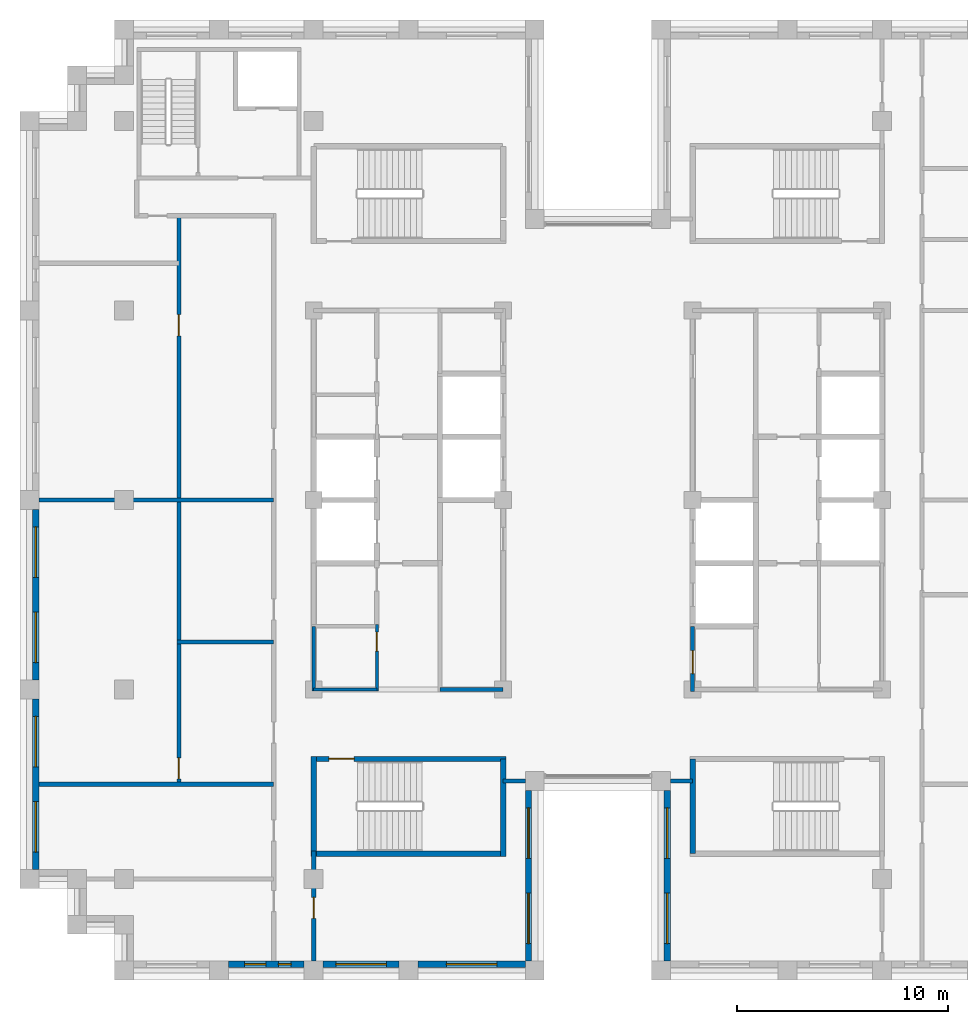
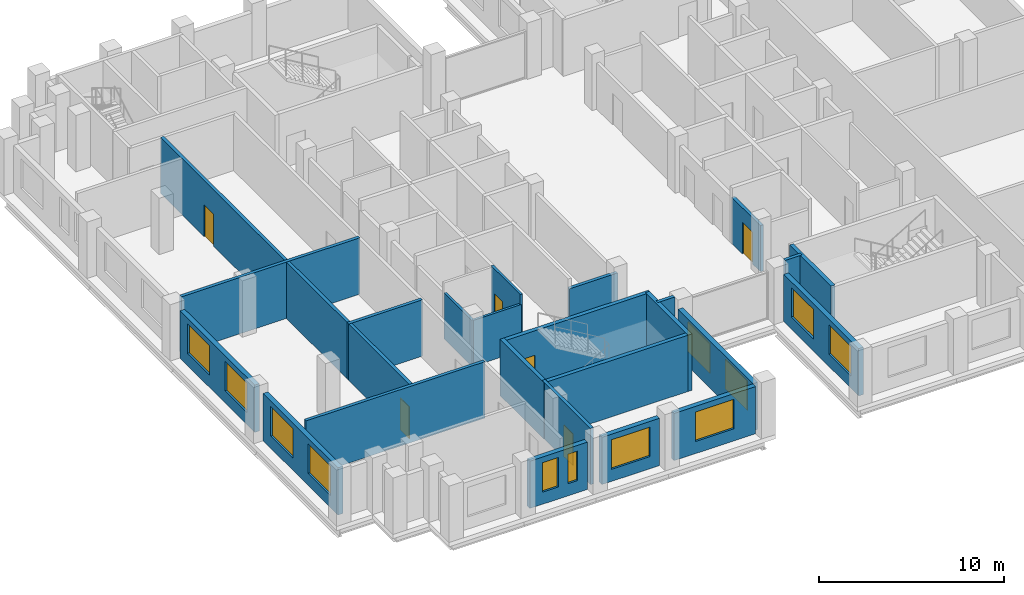
# One storey, part 6 of 13: 24 walls, 12 windows, 6 doors, 18 openings.
"""IFC4 building model written with IfcOpenShell, lengths in metres."""

from ifc_helpers import new_model, si_unit, direction, frame, frame_2d, origin, place, context, subcontext, project, spatial, rectangle, extrude, material, layer, layer_set, type_object, element, fill, save


model = new_model("IFC4")

# Units and contexts
model_context = context("Model", 3, precision=1e-05, world=origin(), true_north=direction((0.0, 1.0)))
body_context = subcontext(model_context, "Body", "Model", "MODEL_VIEW")
ifc_project = project(units=[si_unit("LENGTHUNIT", "METRE"), si_unit("AREAUNIT", "SQUARE_METRE"), si_unit("VOLUMEUNIT", "CUBIC_METRE"), si_unit("PLANEANGLEUNIT", "RADIAN"), si_unit("MASSUNIT", "GRAM", prefix="KILO")], contexts=[model_context])

# Site, building, storey
site_placement = place(None, origin())
site = spatial("IfcSite", under=ifc_project, at=site_placement, CompositionType="ELEMENT")
building_placement = place(site_placement, origin())
building = spatial("IfcBuilding", under=site, at=building_placement, Name="Corbelhall Arena Tower", CompositionType="ELEMENT")
storey_placement = place(building_placement, frame((0.0, 0.0, 254.0)))
storey = spatial("IfcBuildingStorey", under=building, at=storey_placement, Name="L54", CompositionType="ELEMENT", Elevation=254.0)

# Wall, openings, windows
ifc_material_1 = material(Name="Precast concrete C40/50 with granite facing", Category="masonry")
ifc_layer_1 = layer(ifc_material_1, 0.300048828125)
ifc_layer_set_1 = layer_set([ifc_layer_1], Name="EV-IW1 Infill panel 300")
wall_type_1 = type_object("IfcWallType", Name="EV-IW1 Infill panel 300", PredefinedType="SOLIDWALL", material=ifc_layer_set_1)
wall_1_placement = place(storey_placement, frame((-26.699951171875, -0.449951171875, 0.0), z_axis=(0.0, 0.0, 1.0), x_axis=(0.0, -1.0, 0.0)))
wall_1 = element("IfcWall", 1, at=wall_1_placement, inside=storey, type_object=wall_type_1, Name="Infill panel IW1", PredefinedType="SOLIDWALL", context=body_context, shape_type="SweptSolid", body=[
    extrude(rectangle(XDim=8.10009765625, YDim=0.300048828125, at=frame_2d((4.050048828125, 0.0))), origin(), (0.0, 0.0, 1.0), 3.1201171875),
])
opening_1_placement = place(wall_1_placement, frame((0.824951171875, 0.0, 0.800048828125)))
opening_1 = element("IfcOpeningElement", 2, at=opening_1_placement, cuts=wall_1, Name="Opening WN1", PredefinedType="OPENING", context=body_context, shape_type="SweptSolid", body=[
    extrude(rectangle(XDim=2.39990234375, YDim=1.949951171875, at=frame_2d((1.199951171875, 0.97509765625))), frame((0.0, 0.14990234375, 0.0), z_axis=(0.0, -1.0, 0.0), x_axis=(1.0, 0.0, 0.0)), (0.0, 0.0, 1.0), 0.300048828125),
])
opening_2_placement = place(wall_1_placement, frame((4.875, 0.0, 0.800048828125)))
opening_2 = element("IfcOpeningElement", 3, at=opening_2_placement, cuts=wall_1, Name="Opening WN1", PredefinedType="OPENING", context=body_context, shape_type="SweptSolid", body=[
    extrude(rectangle(XDim=2.39990234375, YDim=1.949951171875, at=frame_2d((1.199951171875, 0.97509765625))), frame((0.0, 0.14990234375, 0.0), z_axis=(0.0, -1.0, 0.0), x_axis=(1.0, 0.0, 0.0)), (0.0, 0.0, 1.0), 0.300048828125),
])
ifc_material_2 = material(Name="Aluminium black anodised", Category="aluminium")
window_type_1 = type_object("IfcWindowType", Name="EV-WN1 Office window", PartitioningType="SINGLE_PANEL", PredefinedType="WINDOW", material=ifc_material_2)
window_1_placement = place(opening_1_placement, origin())
window_1 = element("IfcWindow", 4, at=window_1_placement, inside=storey, type_object=window_type_1, Name="Window WN1", OverallHeight=1.949951171875, OverallWidth=2.39990234375, PartitioningType="SINGLE_PANEL", PredefinedType="WINDOW", context=body_context, shape_type="SweptSolid", body=[
    extrude(rectangle(XDim=2.39990234375, YDim=1.949951171875, at=frame_2d((1.199951171875, 0.97509765625))), frame((0.0, 0.030029296875, 0.0), z_axis=(0.0, -1.0, 0.0), x_axis=(1.0, 0.0, 0.0)), (0.0, 0.0, 1.0), 0.06005859375),
])
fill(opening_1, window_1)
window_2_placement = place(opening_2_placement, origin())
window_2 = element("IfcWindow", 5, at=window_2_placement, inside=storey, type_object=window_type_1, Name="Window WN1", OverallHeight=1.949951171875, OverallWidth=2.39990234375, PartitioningType="SINGLE_PANEL", PredefinedType="WINDOW", context=body_context, shape_type="SweptSolid", body=[
    extrude(rectangle(XDim=2.39990234375, YDim=1.949951171875, at=frame_2d((1.199951171875, 0.97509765625))), frame((0.0, 0.030029296875, 0.0), z_axis=(0.0, -1.0, 0.0), x_axis=(1.0, 0.0, 0.0)), (0.0, 0.0, 1.0), 0.06005859375),
])
fill(opening_2, window_2)

wall_2_placement = place(storey_placement, frame((-26.699951171875, -9.449951171875, 0.0), z_axis=(0.0, 0.0, 1.0), x_axis=(0.0, -1.0, 0.0)))
wall_2 = element("IfcWall", 6, at=wall_2_placement, inside=storey, type_object=wall_type_1, Name="Infill panel IW1", PredefinedType="SOLIDWALL", context=body_context, shape_type="SweptSolid", body=[
    extrude(rectangle(XDim=8.10009765625, YDim=0.300048828125, at=frame_2d((4.050048828125, 0.0))), origin(), (0.0, 0.0, 1.0), 3.1201171875),
])
opening_3_placement = place(wall_2_placement, frame((0.824951171875, 0.0, 0.800048828125)))
opening_3 = element("IfcOpeningElement", 7, at=opening_3_placement, cuts=wall_2, Name="Opening WN1", PredefinedType="OPENING", context=body_context, shape_type="SweptSolid", body=[
    extrude(rectangle(XDim=2.39990234375, YDim=1.949951171875, at=frame_2d((1.199951171875, 0.97509765625))), frame((0.0, 0.14990234375, 0.0), z_axis=(0.0, -1.0, 0.0), x_axis=(1.0, 0.0, 0.0)), (0.0, 0.0, 1.0), 0.300048828125),
])
opening_4_placement = place(wall_2_placement, frame((4.875, 0.0, 0.800048828125)))
opening_4 = element("IfcOpeningElement", 8, at=opening_4_placement, cuts=wall_2, Name="Opening WN1", PredefinedType="OPENING", context=body_context, shape_type="SweptSolid", body=[
    extrude(rectangle(XDim=2.39990234375, YDim=1.949951171875, at=frame_2d((1.199951171875, 0.97509765625))), frame((0.0, 0.14990234375, 0.0), z_axis=(0.0, -1.0, 0.0), x_axis=(1.0, 0.0, 0.0)), (0.0, 0.0, 1.0), 0.300048828125),
])
window_3_placement = place(opening_3_placement, origin())
window_3 = element("IfcWindow", 9, at=window_3_placement, inside=storey, type_object=window_type_1, Name="Window WN1", OverallHeight=1.949951171875, OverallWidth=2.39990234375, PartitioningType="SINGLE_PANEL", PredefinedType="WINDOW", context=body_context, shape_type="SweptSolid", body=[
    extrude(rectangle(XDim=2.39990234375, YDim=1.949951171875, at=frame_2d((1.199951171875, 0.97509765625))), frame((0.0, 0.030029296875, 0.0), z_axis=(0.0, -1.0, 0.0), x_axis=(1.0, 0.0, 0.0)), (0.0, 0.0, 1.0), 0.06005859375),
])
fill(opening_3, window_3)
window_4_placement = place(opening_4_placement, origin())
window_4 = element("IfcWindow", 10, at=window_4_placement, inside=storey, type_object=window_type_1, Name="Window WN1", OverallHeight=1.949951171875, OverallWidth=2.39990234375, PartitioningType="SINGLE_PANEL", PredefinedType="WINDOW", context=body_context, shape_type="SweptSolid", body=[
    extrude(rectangle(XDim=2.39990234375, YDim=1.949951171875, at=frame_2d((1.199951171875, 0.97509765625))), frame((0.0, 0.030029296875, 0.0), z_axis=(0.0, -1.0, 0.0), x_axis=(1.0, 0.0, 0.0)), (0.0, 0.0, 1.0), 0.06005859375),
])
fill(opening_4, window_4)

wall_3_placement = place(storey_placement, frame((-17.550048828125, -22.050048828125, 0.0), z_axis=(0.0, 0.0, 1.0), x_axis=(1.0, 0.0, 0.0)))
wall_3 = element("IfcWall", 11, at=wall_3_placement, inside=storey, type_object=wall_type_1, Name="Infill panel IW1", PredefinedType="SOLIDWALL", context=body_context, shape_type="SweptSolid", body=[
    extrude(rectangle(XDim=3.60009765625, YDim=0.300048828125, at=frame_2d((1.800048828125, 0.0))), origin(), (0.0, 0.0, 1.0), 3.1201171875),
])
opening_5_placement = place(wall_3_placement, frame((0.77490234375, 0.0, 0.800048828125)))
opening_5 = element("IfcOpeningElement", 12, at=opening_5_placement, cuts=wall_3, Name="Opening WN6", PredefinedType="OPENING", context=body_context, shape_type="SweptSolid", body=[
    extrude(rectangle(XDim=1.0, YDim=1.949951171875, at=frame_2d((0.5, 0.97509765625))), frame((0.0, 0.14990234375, 0.0), z_axis=(0.0, -1.0, 0.0), x_axis=(1.0, 0.0, 0.0)), (0.0, 0.0, 1.0), 0.300048828125),
])
opening_6_placement = place(wall_3_placement, frame((2.375, 0.0, 0.800048828125)))
opening_6 = element("IfcOpeningElement", 13, at=opening_6_placement, cuts=wall_3, Name="Opening WN5", PredefinedType="OPENING", context=body_context, shape_type="SweptSolid", body=[
    extrude(rectangle(XDim=0.60009765625, YDim=1.949951171875, at=frame_2d((0.300048828125, 0.97509765625))), frame((0.0, 0.14990234375, 0.0), z_axis=(0.0, -1.0, 0.0), x_axis=(1.0, 0.0, 0.0)), (0.0, 0.0, 1.0), 0.300048828125),
])
window_type_2 = type_object("IfcWindowType", Name="EV-WN5 Office window 600", PartitioningType="SINGLE_PANEL", PredefinedType="WINDOW", material=ifc_material_2)
window_5_placement = place(opening_6_placement, origin())
window_5 = element("IfcWindow", 14, at=window_5_placement, inside=storey, type_object=window_type_2, Name="Window WN5", OverallHeight=1.949951171875, OverallWidth=0.60009765625, PartitioningType="SINGLE_PANEL", PredefinedType="WINDOW", context=body_context, shape_type="SweptSolid", body=[
    extrude(rectangle(XDim=0.60009765625, YDim=1.949951171875, at=frame_2d((0.300048828125, 0.97509765625))), frame((0.0, 0.030029296875, 0.0), z_axis=(0.0, -1.0, 0.0), x_axis=(1.0, 0.0, 0.0)), (0.0, 0.0, 1.0), 0.06005859375),
])
fill(opening_6, window_5)
window_type_3 = type_object("IfcWindowType", Name="EV-WN6 Office window 1000", PartitioningType="SINGLE_PANEL", PredefinedType="WINDOW", material=ifc_material_2)
window_6_placement = place(opening_5_placement, origin())
window_6 = element("IfcWindow", 15, at=window_6_placement, inside=storey, type_object=window_type_3, Name="Window WN6", OverallHeight=1.949951171875, OverallWidth=1.0, PartitioningType="SINGLE_PANEL", PredefinedType="WINDOW", context=body_context, shape_type="SweptSolid", body=[
    extrude(rectangle(XDim=1.0, YDim=1.949951171875, at=frame_2d((0.5, 0.97509765625))), frame((0.0, 0.030029296875, 0.0), z_axis=(0.0, -1.0, 0.0), x_axis=(1.0, 0.0, 0.0)), (0.0, 0.0, 1.0), 0.06005859375),
])
fill(opening_5, window_6)

# Wall, opening, window
wall_4_placement = place(storey_placement, frame((-13.050048828125, -22.050048828125, 0.0), z_axis=(0.0, 0.0, 1.0), x_axis=(1.0, 0.0, 0.0)))
wall_4 = element("IfcWall", 16, at=wall_4_placement, inside=storey, type_object=wall_type_1, Name="Infill panel IW1", PredefinedType="SOLIDWALL", context=body_context, shape_type="SweptSolid", body=[
    extrude(rectangle(XDim=3.60009765625, YDim=0.300048828125, at=frame_2d((1.800048828125, 0.0))), origin(), (0.0, 0.0, 1.0), 3.1201171875),
])
opening_7_placement = place(wall_4_placement, frame((0.60009765625, 0.0, 0.800048828125)))
opening_7 = element("IfcOpeningElement", 17, at=opening_7_placement, cuts=wall_4, Name="Opening WN1", PredefinedType="OPENING", context=body_context, shape_type="SweptSolid", body=[
    extrude(rectangle(XDim=2.39990234375, YDim=1.949951171875, at=frame_2d((1.199951171875, 0.97509765625))), frame((0.0, 0.14990234375, 0.0), z_axis=(0.0, -1.0, 0.0), x_axis=(1.0, 0.0, 0.0)), (0.0, 0.0, 1.0), 0.300048828125),
])
window_7_placement = place(opening_7_placement, origin())
window_7 = element("IfcWindow", 18, at=window_7_placement, inside=storey, type_object=window_type_1, Name="Window WN1", OverallHeight=1.949951171875, OverallWidth=2.39990234375, PartitioningType="SINGLE_PANEL", PredefinedType="WINDOW", context=body_context, shape_type="SweptSolid", body=[
    extrude(rectangle(XDim=2.39990234375, YDim=1.949951171875, at=frame_2d((1.199951171875, 0.97509765625))), frame((0.0, 0.030029296875, 0.0), z_axis=(0.0, -1.0, 0.0), x_axis=(1.0, 0.0, 0.0)), (0.0, 0.0, 1.0), 0.06005859375),
])
fill(opening_7, window_7)

wall_5_placement = place(storey_placement, frame((-8.550048828125, -22.050048828125, 0.0), z_axis=(0.0, 0.0, 1.0), x_axis=(1.0, 0.0, 0.0)))
wall_5 = element("IfcWall", 19, at=wall_5_placement, inside=storey, type_object=wall_type_1, Name="Infill panel IW1", PredefinedType="SOLIDWALL", context=body_context, shape_type="SweptSolid", body=[
    extrude(rectangle(XDim=5.10009765625, YDim=0.300048828125, at=frame_2d((2.550048828125, 0.0))), origin(), (0.0, 0.0, 1.0), 3.1201171875),
])
opening_8_placement = place(wall_5_placement, frame((1.35009765625, 0.0, 0.800048828125)))
opening_8 = element("IfcOpeningElement", 20, at=opening_8_placement, cuts=wall_5, Name="Opening WN1", PredefinedType="OPENING", context=body_context, shape_type="SweptSolid", body=[
    extrude(rectangle(XDim=2.39990234375, YDim=1.949951171875, at=frame_2d((1.199951171875, 0.97509765625))), frame((0.0, 0.14990234375, 0.0), z_axis=(0.0, -1.0, 0.0), x_axis=(1.0, 0.0, 0.0)), (0.0, 0.0, 1.0), 0.300048828125),
])
window_8_placement = place(opening_8_placement, origin())
window_8 = element("IfcWindow", 21, at=window_8_placement, inside=storey, type_object=window_type_1, Name="Window WN1", OverallHeight=1.949951171875, OverallWidth=2.39990234375, PartitioningType="SINGLE_PANEL", PredefinedType="WINDOW", context=body_context, shape_type="SweptSolid", body=[
    extrude(rectangle(XDim=2.39990234375, YDim=1.949951171875, at=frame_2d((1.199951171875, 0.97509765625))), frame((0.0, 0.030029296875, 0.0), z_axis=(0.0, -1.0, 0.0), x_axis=(1.0, 0.0, 0.0)), (0.0, 0.0, 1.0), 0.06005859375),
])
fill(opening_8, window_8)

# Wall, openings, windows
wall_6_placement = place(storey_placement, frame((-3.300048828125, -21.89990234375, 0.0), z_axis=(0.0, 0.0, 1.0), x_axis=(0.0, 1.0, 0.0)))
wall_6 = element("IfcWall", 22, at=wall_6_placement, inside=storey, type_object=wall_type_1, Name="Infill panel IW1", PredefinedType="SOLIDWALL", context=body_context, shape_type="SweptSolid", body=[
    extrude(rectangle(XDim=8.099853515625, YDim=0.300048828125, at=frame_2d((4.0498046875, 0.0))), origin(), (0.0, 0.0, 1.0), 3.1201171875),
])
opening_9_placement = place(wall_6_placement, frame((0.824951171875, 0.0, 0.800048828125)))
opening_9 = element("IfcOpeningElement", 23, at=opening_9_placement, cuts=wall_6, Name="Opening WN1", PredefinedType="OPENING", context=body_context, shape_type="SweptSolid", body=[
    extrude(rectangle(XDim=2.39990234375, YDim=1.949951171875, at=frame_2d((1.199951171875, 0.97509765625))), frame((0.0, 0.14990234375, 0.0), z_axis=(0.0, -1.0, 0.0), x_axis=(1.0, 0.0, 0.0)), (0.0, 0.0, 1.0), 0.300048828125),
])
opening_10_placement = place(wall_6_placement, frame((4.875, 0.0, 0.800048828125)))
opening_10 = element("IfcOpeningElement", 24, at=opening_10_placement, cuts=wall_6, Name="Opening WN1", PredefinedType="OPENING", context=body_context, shape_type="SweptSolid", body=[
    extrude(rectangle(XDim=2.39990234375, YDim=1.949951171875, at=frame_2d((1.199951171875, 0.97509765625))), frame((0.0, 0.14990234375, 0.0), z_axis=(0.0, -1.0, 0.0), x_axis=(1.0, 0.0, 0.0)), (0.0, 0.0, 1.0), 0.300048828125),
])
window_9_placement = place(opening_9_placement, origin())
window_9 = element("IfcWindow", 25, at=window_9_placement, inside=storey, type_object=window_type_1, Name="Window WN1", OverallHeight=1.949951171875, OverallWidth=2.39990234375, PartitioningType="SINGLE_PANEL", PredefinedType="WINDOW", context=body_context, shape_type="SweptSolid", body=[
    extrude(rectangle(XDim=2.39990234375, YDim=1.949951171875, at=frame_2d((1.199951171875, 0.97509765625))), frame((0.0, 0.030029296875, 0.0), z_axis=(0.0, -1.0, 0.0), x_axis=(1.0, 0.0, 0.0)), (0.0, 0.0, 1.0), 0.06005859375),
])
fill(opening_9, window_9)
window_10_placement = place(opening_10_placement, origin())
window_10 = element("IfcWindow", 26, at=window_10_placement, inside=storey, type_object=window_type_1, Name="Window WN1", OverallHeight=1.949951171875, OverallWidth=2.39990234375, PartitioningType="SINGLE_PANEL", PredefinedType="WINDOW", context=body_context, shape_type="SweptSolid", body=[
    extrude(rectangle(XDim=2.39990234375, YDim=1.949951171875, at=frame_2d((1.199951171875, 0.97509765625))), frame((0.0, 0.030029296875, 0.0), z_axis=(0.0, -1.0, 0.0), x_axis=(1.0, 0.0, 0.0)), (0.0, 0.0, 1.0), 0.06005859375),
])
fill(opening_10, window_10)

wall_7_placement = place(storey_placement, frame((3.300048828125, -13.800048828125, 0.0), z_axis=(0.0, 0.0, 1.0), x_axis=(0.0, -1.0, 0.0)))
wall_7 = element("IfcWall", 27, at=wall_7_placement, inside=storey, type_object=wall_type_1, Name="Infill panel IW1", PredefinedType="SOLIDWALL", context=body_context, shape_type="SweptSolid", body=[
    extrude(rectangle(XDim=8.099853515625, YDim=0.300048828125, at=frame_2d((4.0498046875, 0.0))), origin(), (0.0, 0.0, 1.0), 3.1201171875),
])
opening_11_placement = place(wall_7_placement, frame((0.824951171875, 0.0, 0.800048828125)))
opening_11 = element("IfcOpeningElement", 28, at=opening_11_placement, cuts=wall_7, Name="Opening WN1", PredefinedType="OPENING", context=body_context, shape_type="SweptSolid", body=[
    extrude(rectangle(XDim=2.39990234375, YDim=1.949951171875, at=frame_2d((1.199951171875, 0.97509765625))), frame((0.0, 0.14990234375, 0.0), z_axis=(0.0, -1.0, 0.0), x_axis=(1.0, 0.0, 0.0)), (0.0, 0.0, 1.0), 0.300048828125),
])
opening_12_placement = place(wall_7_placement, frame((4.875, 0.0, 0.800048828125)))
opening_12 = element("IfcOpeningElement", 29, at=opening_12_placement, cuts=wall_7, Name="Opening WN1", PredefinedType="OPENING", context=body_context, shape_type="SweptSolid", body=[
    extrude(rectangle(XDim=2.39990234375, YDim=1.949951171875, at=frame_2d((1.199951171875, 0.97509765625))), frame((0.0, 0.14990234375, 0.0), z_axis=(0.0, -1.0, 0.0), x_axis=(1.0, 0.0, 0.0)), (0.0, 0.0, 1.0), 0.300048828125),
])
window_11_placement = place(opening_11_placement, origin())
window_11 = element("IfcWindow", 30, at=window_11_placement, inside=storey, type_object=window_type_1, Name="Window WN1", OverallHeight=1.949951171875, OverallWidth=2.39990234375, PartitioningType="SINGLE_PANEL", PredefinedType="WINDOW", context=body_context, shape_type="SweptSolid", body=[
    extrude(rectangle(XDim=2.39990234375, YDim=1.949951171875, at=frame_2d((1.199951171875, 0.97509765625))), frame((0.0, 0.030029296875, 0.0), z_axis=(0.0, -1.0, 0.0), x_axis=(1.0, 0.0, 0.0)), (0.0, 0.0, 1.0), 0.06005859375),
])
fill(opening_11, window_11)
window_12_placement = place(opening_12_placement, origin())
window_12 = element("IfcWindow", 31, at=window_12_placement, inside=storey, type_object=window_type_1, Name="Window WN1", OverallHeight=1.949951171875, OverallWidth=2.39990234375, PartitioningType="SINGLE_PANEL", PredefinedType="WINDOW", context=body_context, shape_type="SweptSolid", body=[
    extrude(rectangle(XDim=2.39990234375, YDim=1.949951171875, at=frame_2d((1.199951171875, 0.97509765625))), frame((0.0, 0.030029296875, 0.0), z_axis=(0.0, -1.0, 0.0), x_axis=(1.0, 0.0, 0.0)), (0.0, 0.0, 1.0), 0.06005859375),
])
fill(opening_12, window_12)

# Walls
ifc_material_3 = material(Name="Gypsum board on steel stud, acoustic", Category="steel")
ifc_layer_2 = layer(ifc_material_3, 0.199951171875)
ifc_layer_set_2 = layer_set([ifc_layer_2], Name="IN-W-DM200")
wall_type_2 = type_object("IfcWallType", Name="IN-W-DM200", PredefinedType="PARTITIONING", material=ifc_layer_set_2)
wall_8_placement = place(storey_placement, frame((-26.550048828125, -13.5, 0.0), z_axis=(0.0, 0.0, 1.0), x_axis=(1.0, 0.0, 0.0)))
element("IfcWall", 32, at=wall_8_placement, inside=storey, type_object=wall_type_2, Name="Partition 001", PredefinedType="PARTITIONING", context=body_context, shape_type="SweptSolid", body=[
    extrude(rectangle(XDim=11.150146484375, YDim=0.199951171875, at=frame_2d((5.5751953125, 0.0))), origin(), (0.0, 0.0, 1.0), 3.719970703125),
])
wall_9_placement = place(storey_placement, frame((-20.0, -6.75, 0.0), z_axis=(0.0, 0.0, 1.0), x_axis=(1.0, 0.0, 0.0)))
element("IfcWall", 33, at=wall_9_placement, inside=storey, type_object=wall_type_2, Name="Partition 005", PredefinedType="PARTITIONING", context=body_context, shape_type="SweptSolid", body=[
    extrude(rectangle(XDim=4.60009765625, YDim=0.199951171875, at=frame_2d((2.300048828125, 0.0))), origin(), (0.0, 0.0, 1.0), 3.719970703125),
])

# Wall, openings, doors
wall_10_placement = place(storey_placement, frame((-19.89990234375, -13.5, 0.0), z_axis=(0.0, 0.0, 1.0), x_axis=(0.0, 1.0, 0.0)))
wall_10 = element("IfcWall", 34, at=wall_10_placement, inside=storey, type_object=wall_type_2, Name="Partition 006", PredefinedType="PARTITIONING", context=body_context, shape_type="SweptSolid", body=[
    extrude(rectangle(XDim=27.0, YDim=0.199951171875, at=frame_2d((13.5, 0.0))), origin(), (0.0, 0.0, 1.0), 3.719970703125),
])
opening_13_placement = place(wall_10_placement, frame((21.300048828125, 0.0, 0.0)))
opening_13 = element("IfcOpeningElement", 35, at=opening_13_placement, cuts=wall_10, Name="Opening 17023", PredefinedType="OPENING", context=body_context, shape_type="SweptSolid", body=[
    extrude(rectangle(XDim=1.0, YDim=2.10009765625, at=frame_2d((0.5, 1.050048828125))), frame((0.0, 0.10009765625, 0.0), z_axis=(0.0, -1.0, 0.0), x_axis=(1.0, 0.0, 0.0)), (0.0, 0.0, 1.0), 0.199951171875),
])
opening_14_placement = place(wall_10_placement, frame((0.25, 0.0, 0.0)))
opening_14 = element("IfcOpeningElement", 36, at=opening_14_placement, cuts=wall_10, Name="Opening 17028", PredefinedType="OPENING", context=body_context, shape_type="SweptSolid", body=[
    extrude(rectangle(XDim=1.0, YDim=2.10009765625, at=frame_2d((0.5, 1.050048828125))), frame((0.0, 0.10009765625, 0.0), z_axis=(0.0, -1.0, 0.0), x_axis=(1.0, 0.0, 0.0)), (0.0, 0.0, 1.0), 0.199951171875),
])
ifc_material_4 = material(Name="Steel door set", Category="steel")
door_type_1 = type_object("IfcDoorType", Name="IN-D-SW100", OperationType="NOTDEFINED", PredefinedType="DOOR", material=ifc_material_4)
door_1_placement = place(opening_13_placement, origin())
door_1 = element("IfcDoor", 37, at=door_1_placement, inside=storey, type_object=door_type_1, Name="Door 023", OperationType="SINGLE_SWING_RIGHT", OverallHeight=2.10009765625, OverallWidth=1.0, PredefinedType="DOOR", context=body_context, shape_type="SweptSolid", body=[
    extrude(rectangle(XDim=1.0, YDim=2.10009765625, at=frame_2d((0.5, 1.050048828125))), frame((0.0, 0.02490234375, 0.0), z_axis=(0.0, -1.0, 0.0), x_axis=(1.0, 0.0, 0.0)), (0.0, 0.0, 1.0), 0.050048828125),
])
fill(opening_13, door_1)
door_2_placement = place(opening_14_placement, origin())
door_2 = element("IfcDoor", 38, at=door_2_placement, inside=storey, type_object=door_type_1, Name="Door 028", OperationType="SINGLE_SWING_LEFT", OverallHeight=2.10009765625, OverallWidth=1.0, PredefinedType="DOOR", context=body_context, shape_type="SweptSolid", body=[
    extrude(rectangle(XDim=1.0, YDim=2.10009765625, at=frame_2d((0.5, 1.050048828125))), frame((0.0, 0.02490234375, 0.0), z_axis=(0.0, -1.0, 0.0), x_axis=(1.0, 0.0, 0.0)), (0.0, 0.0, 1.0), 0.050048828125),
])
fill(opening_14, door_2)

# Wall
wall_11_placement = place(storey_placement, frame((-15.39990234375, 0.0, 0.0), z_axis=(0.0, 0.0, 1.0), x_axis=(-1.0, 0.0, 0.0)))
element("IfcWall", 39, at=wall_11_placement, inside=storey, type_object=wall_type_2, Name="Partition 007", PredefinedType="PARTITIONING", context=body_context, shape_type="SweptSolid", body=[
    extrude(rectangle(XDim=11.150146484375, YDim=0.199951171875, at=frame_2d((5.5751953125, 0.0))), origin(), (0.0, 0.0, 1.0), 3.719970703125),
])

# Wall, opening, door
wall_12_placement = place(storey_placement, frame((-13.5, -16.675048828125, 0.0), z_axis=(0.0, 0.0, 1.0), x_axis=(0.0, -1.0, 0.0)))
wall_12 = element("IfcWall", 40, at=wall_12_placement, inside=storey, type_object=wall_type_2, Name="Partition 010", PredefinedType="PARTITIONING", context=body_context, shape_type="SweptSolid", body=[
    extrude(rectangle(XDim=5.224853515625, YDim=0.199951171875, at=frame_2d((2.6123046875, 0.0))), origin(), (0.0, 0.0, 1.0), 3.719970703125),
])
opening_15_placement = place(wall_12_placement, frame((2.199951171875, 0.0, 0.0)))
opening_15 = element("IfcOpeningElement", 41, at=opening_15_placement, cuts=wall_12, Name="Opening 17020", PredefinedType="OPENING", context=body_context, shape_type="SweptSolid", body=[
    extrude(rectangle(XDim=1.0, YDim=2.10009765625, at=frame_2d((0.5, 1.050048828125))), frame((0.0, 0.10009765625, 0.0), z_axis=(0.0, -1.0, 0.0), x_axis=(1.0, 0.0, 0.0)), (0.0, 0.0, 1.0), 0.199951171875),
])
door_3_placement = place(opening_15_placement, origin())
door_3 = element("IfcDoor", 42, at=door_3_placement, inside=storey, type_object=door_type_1, Name="Door 020", OperationType="SINGLE_SWING_LEFT", OverallHeight=2.10009765625, OverallWidth=1.0, PredefinedType="DOOR", context=body_context, shape_type="SweptSolid", body=[
    extrude(rectangle(XDim=1.0, YDim=2.10009765625, at=frame_2d((0.5, 1.050048828125))), frame((0.0, 0.02490234375, 0.0), z_axis=(0.0, -1.0, 0.0), x_axis=(1.0, 0.0, 0.0)), (0.0, 0.0, 1.0), 0.050048828125),
])
fill(opening_15, door_3)

# Walls
for number, where, z_axis, x_axis, name in (
    (43, (-3.449951171875, -13.35009765625, 0.0), (0.0, 0.0, 1.0), (-1.0, 0.0, 0.0), "Partition 011"),
    (44, (4.5, -13.35009765625, 0.0), (0.0, 0.0, 1.0), (-1.0, 0.0, 0.0), "Partition 013"),
):
    element("IfcWall", number, at=place(storey_placement, frame(where, z_axis=z_axis, x_axis=x_axis)), inside=storey, type_object=wall_type_2, Name=name, PredefinedType="PARTITIONING", context=body_context, shape_type="SweptSolid", body=[
        extrude(rectangle(XDim=1.050048828125, YDim=0.199951171875, at=frame_2d((0.52490234375, 0.0))), origin(), (0.0, 0.0, 1.0), 3.719970703125),
    ])
ifc_material_5 = material(Name="Concrete block wall", Category="concrete")
ifc_layer_3 = layer(ifc_material_5, 0.199951171875)
ifc_layer_set_3 = layer_set([ifc_layer_3], Name="IN-W-RS200 under beam 678 mm")
wall_type_3 = type_object("IfcWallType", Name="IN-W-RS200 under beam 678 mm", PredefinedType="SOLIDWALL", material=ifc_layer_set_3)
wall_13_placement = place(storey_placement, frame((-4.5, -9.0, 0.0), z_axis=(0.0, 0.0, 1.0), x_axis=(-1.0, 0.0, 0.0)))
element("IfcWall", 45, at=wall_13_placement, inside=storey, type_object=wall_type_3, Name="Partition 033", PredefinedType="SOLIDWALL", context=body_context, shape_type="SweptSolid", body=[
    extrude(rectangle(XDim=3.0, YDim=0.199951171875, at=frame_2d((1.5, 0.0))), origin(), (0.0, 0.0, 1.0), 3.041748046875),
])

# Wall, opening, door
wall_14_placement = place(storey_placement, frame((4.5, -9.10009765625, 0.0), z_axis=(0.0, 0.0, 1.0), x_axis=(0.0, 1.0, 0.0)))
wall_14 = element("IfcWall", 46, at=wall_14_placement, inside=storey, type_object=wall_type_3, Name="Partition 036", PredefinedType="SOLIDWALL", context=body_context, shape_type="SweptSolid", body=[
    extrude(rectangle(XDim=3.10009765625, YDim=0.199951171875, at=frame_2d((1.550048828125, 0.0))), origin(), (0.0, 0.0, 1.0), 3.041748046875),
])
opening_16_placement = place(wall_14_placement, frame((0.85009765625, 0.0, 0.0)))
opening_16 = element("IfcOpeningElement", 47, at=opening_16_placement, cuts=wall_14, Name="Opening 17009", PredefinedType="OPENING", context=body_context, shape_type="SweptSolid", body=[
    extrude(rectangle(XDim=1.10009765625, YDim=2.10009765625, at=frame_2d((0.550048828125, 1.050048828125))), frame((0.0, 0.10009765625, 0.0), z_axis=(0.0, -1.0, 0.0), x_axis=(1.0, 0.0, 0.0)), (0.0, 0.0, 1.0), 0.199951171875),
])
door_type_2 = type_object("IfcDoorType", Name="IN-D-FD110", OperationType="NOTDEFINED", PredefinedType="DOOR", material=ifc_material_4)
door_4_placement = place(opening_16_placement, origin())
door_4 = element("IfcDoor", 48, at=door_4_placement, inside=storey, type_object=door_type_2, Name="Door 009", OperationType="SINGLE_SWING_RIGHT", OverallHeight=2.10009765625, OverallWidth=1.10009765625, PredefinedType="DOOR", context=body_context, shape_type="SweptSolid", body=[
    extrude(rectangle(XDim=1.10009765625, YDim=2.10009765625, at=frame_2d((0.550048828125, 1.050048828125))), frame((0.0, 0.02490234375, 0.0), z_axis=(0.0, -1.0, 0.0), x_axis=(1.0, 0.0, 0.0)), (0.0, 0.0, 1.0), 0.050048828125),
])
fill(opening_16, door_4)

# Walls
ifc_material_6 = material(Name="Concrete C40/50", Category="concrete")
ifc_layer_4 = layer(ifc_material_6, 0.25)
ifc_layer_set_4 = layer_set([ifc_layer_4], Name="IN-W-ST250")
wall_type_4 = type_object("IfcWallType", Name="IN-W-ST250", PredefinedType="SOLIDWALL", material=ifc_layer_set_4)
wall_15_placement = place(storey_placement, frame((-13.5, -12.175048828125, 0.0), z_axis=(0.0, 0.0, 1.0), x_axis=(0.0, -1.0, 0.0)))
element("IfcWall", 49, at=wall_15_placement, inside=storey, type_object=wall_type_4, Name="Shaft wall 064", PredefinedType="SOLIDWALL", context=body_context, shape_type="SweptSolid", body=[
    extrude(rectangle(XDim=4.75, YDim=0.25, at=frame_2d((2.375, 0.0))), origin(), (0.0, 0.0, 1.0), 3.719970703125),
])
wall_16_placement = place(storey_placement, frame((-4.5, -16.800048828125, 0.0), z_axis=(0.0, 0.0, 1.0), x_axis=(-1.0, 0.0, 0.0)))
element("IfcWall", 50, at=wall_16_placement, inside=storey, type_object=wall_type_4, Name="Shaft wall 068", PredefinedType="SOLIDWALL", context=body_context, shape_type="SweptSolid", body=[
    extrude(rectangle(XDim=9.0, YDim=0.25, at=frame_2d((4.5, 0.0))), origin(), (0.0, 0.0, 1.0), 3.719970703125),
])
wall_17_placement = place(storey_placement, frame((-4.5, -12.300048828125, 0.0), z_axis=(0.0, 0.0, 1.0), x_axis=(0.0, -1.0, 0.0)))
element("IfcWall", 51, at=wall_17_placement, inside=storey, type_object=wall_type_4, Name="Shaft wall 069", PredefinedType="SOLIDWALL", context=body_context, shape_type="SweptSolid", body=[
    extrude(rectangle(XDim=4.625, YDim=0.25, at=frame_2d((2.3125, 0.0))), origin(), (0.0, 0.0, 1.0), 3.719970703125),
])

# Wall, opening, door
wall_18_placement = place(storey_placement, frame((-4.375, -12.300048828125, 0.0), z_axis=(0.0, 0.0, 1.0), x_axis=(-1.0, 0.0, 0.0)))
wall_18 = element("IfcWall", 52, at=wall_18_placement, inside=storey, type_object=wall_type_4, Name="Shaft wall 072", PredefinedType="SOLIDWALL", context=body_context, shape_type="SweptSolid", body=[
    extrude(rectangle(XDim=9.125, YDim=0.25, at=frame_2d((4.5625, 0.0))), origin(), (0.0, 0.0, 1.0), 3.719970703125),
])
opening_17_placement = place(wall_18_placement, frame((7.199951171875, 0.0, 0.0)))
opening_17 = element("IfcOpeningElement", 53, at=opening_17_placement, cuts=wall_18, Name="Opening 17016", PredefinedType="OPENING", context=body_context, shape_type="SweptSolid", body=[
    extrude(rectangle(XDim=1.199951171875, YDim=2.10009765625, at=frame_2d((0.60009765625, 1.050048828125))), frame((0.0, 0.125, 0.0), z_axis=(0.0, -1.0, 0.0), x_axis=(1.0, 0.0, 0.0)), (0.0, 0.0, 1.0), 0.25),
])
door_type_3 = type_object("IfcDoorType", Name="IN-D-ST120", OperationType="NOTDEFINED", PredefinedType="DOOR", material=ifc_material_4)
door_5_placement = place(opening_17_placement, origin())
door_5 = element("IfcDoor", 54, at=door_5_placement, inside=storey, type_object=door_type_3, Name="Door 016", OperationType="SINGLE_SWING_LEFT", OverallHeight=2.10009765625, OverallWidth=1.199951171875, PredefinedType="DOOR", context=body_context, shape_type="SweptSolid", body=[
    extrude(rectangle(XDim=1.199951171875, YDim=2.10009765625, at=frame_2d((0.60009765625, 1.050048828125))), frame((0.0, 0.02490234375, 0.0), z_axis=(0.0, -1.0, 0.0), x_axis=(1.0, 0.0, 0.0)), (0.0, 0.0, 1.0), 0.050048828125),
])
fill(opening_17, door_5)

# Wall
wall_19_placement = place(storey_placement, frame((4.5, -16.800048828125, 0.0), z_axis=(0.0, 0.0, 1.0), x_axis=(0.0, 1.0, 0.0)))
element("IfcWall", 55, at=wall_19_placement, inside=storey, type_object=wall_type_4, Name="Shaft wall 075", PredefinedType="SOLIDWALL", context=body_context, shape_type="SweptSolid", body=[
    extrude(rectangle(XDim=4.5, YDim=0.25, at=frame_2d((2.25, 0.0))), origin(), (0.0, 0.0, 1.0), 3.719970703125),
])

# Wall, opening, door
ifc_material_7 = material(Name="Gypsum board on steel stud, moisture resistant", Category="steel")
ifc_layer_5 = layer(ifc_material_7, 0.14990234375)
ifc_layer_set_5 = layer_set([ifc_layer_5], Name="IN-W-WC150")
wall_type_5 = type_object("IfcWallType", Name="IN-W-WC150", PredefinedType="PARTITIONING", material=ifc_layer_set_5)
wall_20_placement = place(storey_placement, frame((-10.5, -9.074951171875, 0.0), z_axis=(0.0, 0.0, 1.0), x_axis=(0.0, 1.0, 0.0)))
wall_20 = element("IfcWall", 56, at=wall_20_placement, inside=storey, type_object=wall_type_5, Name="Partition 085", PredefinedType="PARTITIONING", context=body_context, shape_type="SweptSolid", body=[
    extrude(rectangle(XDim=3.14990234375, YDim=0.14990234375, at=frame_2d((1.574951171875, 0.0))), origin(), (0.0, 0.0, 1.0), 3.719970703125),
])
opening_18_placement = place(wall_20_placement, frame((1.89990234375, 0.0, 0.0)))
opening_18 = element("IfcOpeningElement", 57, at=opening_18_placement, cuts=wall_20, Name="Opening 17005", PredefinedType="OPENING", context=body_context, shape_type="SweptSolid", body=[
    extrude(rectangle(XDim=0.89990234375, YDim=2.10009765625, at=frame_2d((0.449951171875, 1.050048828125))), frame((0.0, 0.074951171875, 0.0), z_axis=(0.0, -1.0, 0.0), x_axis=(1.0, 0.0, 0.0)), (0.0, 0.0, 1.0), 0.14990234375),
])
ifc_material_8 = material(Name="Timber door set", Category="wood")
door_type_4 = type_object("IfcDoorType", Name="IN-D-SW90", OperationType="NOTDEFINED", PredefinedType="DOOR", material=ifc_material_8)
door_6_placement = place(opening_18_placement, origin())
door_6 = element("IfcDoor", 58, at=door_6_placement, inside=storey, type_object=door_type_4, Name="Door 005", OperationType="SINGLE_SWING_RIGHT", OverallHeight=2.10009765625, OverallWidth=0.89990234375, PredefinedType="DOOR", context=body_context, shape_type="SweptSolid", body=[
    extrude(rectangle(XDim=0.89990234375, YDim=2.10009765625, at=frame_2d((0.449951171875, 1.050048828125))), frame((0.0, 0.02490234375, 0.0), z_axis=(0.0, -1.0, 0.0), x_axis=(1.0, 0.0, 0.0)), (0.0, 0.0, 1.0), 0.050048828125),
])
fill(opening_18, door_6)

# Walls
ifc_layer_6 = layer(ifc_material_7, 0.14990234375)
ifc_layer_set_6 = layer_set([ifc_layer_6], Name="IN-W-WC150 under beam 678 mm")
wall_type_6 = type_object("IfcWallType", Name="IN-W-WC150 under beam 678 mm", PredefinedType="PARTITIONING", material=ifc_layer_set_6)
wall_21_placement = place(storey_placement, frame((-13.5, -9.074951171875, 0.0), z_axis=(0.0, 0.0, 1.0), x_axis=(0.0, 1.0, 0.0)))
element("IfcWall", 59, at=wall_21_placement, inside=storey, type_object=wall_type_6, Name="Partition 083", PredefinedType="PARTITIONING", context=body_context, shape_type="SweptSolid", body=[
    extrude(rectangle(XDim=3.074951171875, YDim=0.14990234375, at=frame_2d((1.53759765625, 0.0))), origin(), (0.0, 0.0, 1.0), 3.041748046875),
])
wall_22_placement = place(storey_placement, frame((-10.5, -9.0, 0.0), z_axis=(0.0, 0.0, 1.0), x_axis=(-1.0, 0.0, 0.0)))
element("IfcWall", 60, at=wall_22_placement, inside=storey, type_object=wall_type_6, Name="Partition 086", PredefinedType="PARTITIONING", context=body_context, shape_type="SweptSolid", body=[
    extrude(rectangle(XDim=3.0, YDim=0.14990234375, at=frame_2d((1.5, 0.0))), origin(), (0.0, 0.0, 1.0), 3.041748046875),
])

save(model, "model.ifc")
